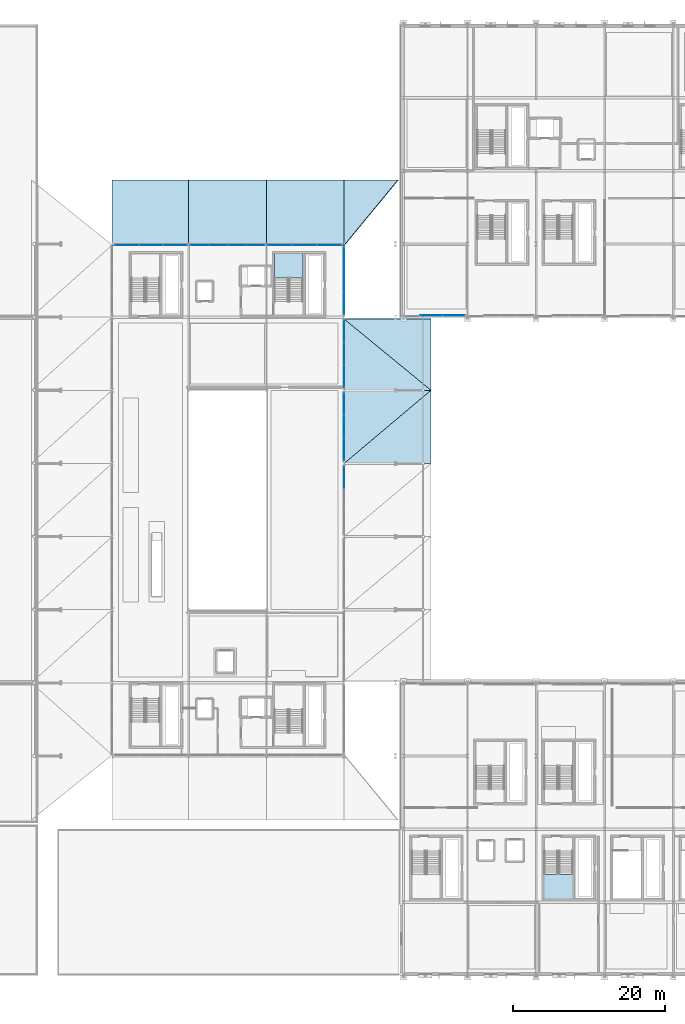
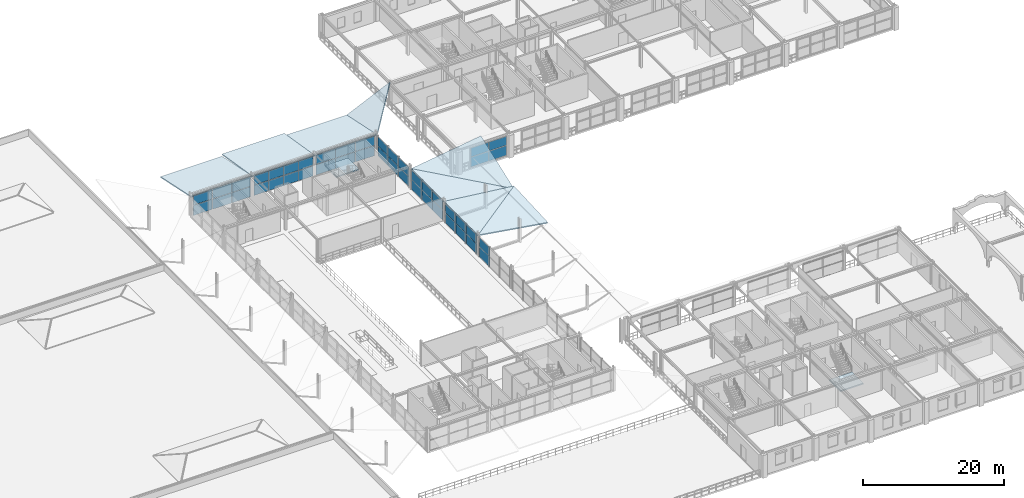
# One storey, part 37 of 81: 44 plates, 10 slabs, 10 elements without a shape of their own.
"""IFC4 building model written with IfcOpenShell, lengths in metres."""

from ifc_helpers import new_model, si_unit, direction, frame, origin, origin_2d, place, context, subcontext, project, spatial, polyline, rectangle, outline, extrude, material, layer, layer_set, type_object, element, aggregate, save


model = new_model("IFC4")

# Units and contexts
model_context = context("Model", 3, precision=1e-05, world=origin(), true_north=direction((0.0, 1.0)))
body_context = subcontext(model_context, "Body", "Model", "MODEL_VIEW")
ifc_project = project(units=[si_unit("LENGTHUNIT", "METRE"), si_unit("AREAUNIT", "SQUARE_METRE"), si_unit("VOLUMEUNIT", "CUBIC_METRE"), si_unit("PLANEANGLEUNIT", "RADIAN"), si_unit("MASSUNIT", "GRAM", prefix="KILO")], contexts=[model_context])

# Site, building, storey
site_placement = place(None, origin())
site = spatial("IfcSite", under=ifc_project, at=site_placement, CompositionType="ELEMENT")
building_placement = place(site_placement, origin())
building = spatial("IfcBuilding", under=site, at=building_placement, Name="Myrtia Square Station", CompositionType="ELEMENT")
storey_placement = place(building_placement, frame((0.0, 0.0, 10.800048828125)))
storey = spatial("IfcBuildingStorey", under=building, at=storey_placement, Name="L02", CompositionType="ELEMENT", Elevation=10.800048828125)

# Curtain wall, plates
ifc_material_1 = material(Name="Dark bronze anodised aluminium", Category="aluminium")
ifc_layer_1 = layer(ifc_material_1, 0.159912109375, Name="Dark bronze anodised aluminium")
ifc_layer_set_1 = layer_set([ifc_layer_1], Name="Dark bronze anodised aluminium")
curtain_wall_type_1 = type_object("IfcCurtainWallType", Name="CW-TYPE-06-890x341", PredefinedType="USERDEFINED", material=ifc_layer_set_1)
curtain_wall_1_placement = place(storey_placement, origin())
curtain_wall_1 = element("IfcCurtainWall", 1, at=curtain_wall_1_placement, inside=storey, type_object=curtain_wall_type_1, Name="Concourse curtain wall CW-L02-026", ObjectType="CONCOURSE CURTAIN WALL", PredefinedType="USERDEFINED")
ifc_material_2 = material(Name="Tinted low-E solar control glass", Category="glass")
ifc_layer_2 = layer(ifc_material_2, 0.028076171875, Name="Tinted low-E solar control glass")
ifc_layer_set_2 = layer_set([ifc_layer_2], Name="Tinted low-E solar control glass")
plate_type_1 = type_object("IfcPlateType", Name="CWP-GLZ-28", PredefinedType="CURTAIN_PANEL", material=ifc_layer_set_2)
plate_1_placement = place(storey_placement, frame((109.800048828125, 65.3515625, 0.059814453125), z_axis=(0.0, 0.0, 1.0), x_axis=(0.0, 1.0, 0.0)))
plate_1 = element("IfcPlate", 2, at=plate_1_placement, type_object=plate_type_1, Name="CW-026 panel 3.1", PredefinedType="CURTAIN_PANEL", context=body_context, shape_type="SweptSolid", body=[
    extrude(rectangle(XDim=2.876708984375, YDim=0.028076171875, at=origin_2d()), origin(), (0.0, 0.0, 1.0), 1.68310546875),
])
plate_2_placement = place(storey_placement, frame((109.800048828125, 65.3515625, 1.802734375), z_axis=(0.0, 0.0, 1.0), x_axis=(0.0, 1.0, 0.0)))
plate_2 = element("IfcPlate", 3, at=plate_2_placement, type_object=plate_type_1, Name="CW-026 panel 3.2", PredefinedType="CURTAIN_PANEL", context=body_context, shape_type="SweptSolid", body=[
    extrude(rectangle(XDim=2.876708984375, YDim=0.028076171875, at=origin_2d()), origin(), (0.0, 0.0, 1.0), 1.547119140625),
])
aggregate(curtain_wall_1, [plate_1, plate_2])

curtain_wall_2_placement = place(storey_placement, origin())
curtain_wall_2 = element("IfcCurtainWall", 4, at=curtain_wall_2_placement, inside=storey, type_object=curtain_wall_type_1, Name="Concourse curtain wall CW-L02-030", ObjectType="CONCOURSE CURTAIN WALL", PredefinedType="USERDEFINED")
plate_3_placement = place(storey_placement, frame((109.800048828125, 78.6484375, 0.059814453125), z_axis=(0.0, 0.0, 1.0), x_axis=(0.0, 1.0, 0.0)))
plate_3 = element("IfcPlate", 5, at=plate_3_placement, type_object=plate_type_1, Name="CW-030 panel 1.1", PredefinedType="CURTAIN_PANEL", context=body_context, shape_type="SweptSolid", body=[
    extrude(rectangle(XDim=2.876708984375, YDim=0.028076171875, at=origin_2d()), origin(), (0.0, 0.0, 1.0), 1.68310546875),
])
plate_4_placement = place(storey_placement, frame((109.800048828125, 78.6484375, 1.802734375), z_axis=(0.0, 0.0, 1.0), x_axis=(0.0, 1.0, 0.0)))
plate_4 = element("IfcPlate", 6, at=plate_4_placement, type_object=plate_type_1, Name="CW-030 panel 1.2", PredefinedType="CURTAIN_PANEL", context=body_context, shape_type="SweptSolid", body=[
    extrude(rectangle(XDim=2.876708984375, YDim=0.028076171875, at=origin_2d()), origin(), (0.0, 0.0, 1.0), 1.547119140625),
])
plate_5_placement = place(storey_placement, frame((109.800048828125, 81.60009765625, 0.059814453125), z_axis=(0.0, 0.0, 1.0), x_axis=(0.0, 1.0, 0.0)))
plate_5 = element("IfcPlate", 7, at=plate_5_placement, type_object=plate_type_1, Name="CW-030 panel 2.1", PredefinedType="CURTAIN_PANEL", context=body_context, shape_type="SweptSolid", body=[
    extrude(rectangle(XDim=2.90673828125, YDim=0.028076171875, at=origin_2d()), origin(), (0.0, 0.0, 1.0), 1.68310546875),
])
plate_6_placement = place(storey_placement, frame((109.800048828125, 81.60009765625, 1.802734375), z_axis=(0.0, 0.0, 1.0), x_axis=(0.0, 1.0, 0.0)))
plate_6 = element("IfcPlate", 8, at=plate_6_placement, type_object=plate_type_1, Name="CW-030 panel 2.2", PredefinedType="CURTAIN_PANEL", context=body_context, shape_type="SweptSolid", body=[
    extrude(rectangle(XDim=2.90673828125, YDim=0.028076171875, at=origin_2d()), origin(), (0.0, 0.0, 1.0), 1.547119140625),
])
plate_7_placement = place(storey_placement, frame((109.800048828125, 84.5517578125, 0.059814453125), z_axis=(0.0, 0.0, 1.0), x_axis=(0.0, 1.0, 0.0)))
plate_7 = element("IfcPlate", 9, at=plate_7_placement, type_object=plate_type_1, Name="CW-030 panel 3.1", PredefinedType="CURTAIN_PANEL", context=body_context, shape_type="SweptSolid", body=[
    extrude(rectangle(XDim=2.876708984375, YDim=0.028076171875, at=origin_2d()), origin(), (0.0, 0.0, 1.0), 1.68310546875),
])
plate_8_placement = place(storey_placement, frame((109.800048828125, 84.5517578125, 1.802734375), z_axis=(0.0, 0.0, 1.0), x_axis=(0.0, 1.0, 0.0)))
plate_8 = element("IfcPlate", 10, at=plate_8_placement, type_object=plate_type_1, Name="CW-030 panel 3.2", PredefinedType="CURTAIN_PANEL", context=body_context, shape_type="SweptSolid", body=[
    extrude(rectangle(XDim=2.876708984375, YDim=0.028076171875, at=origin_2d()), origin(), (0.0, 0.0, 1.0), 1.547119140625),
])
aggregate(curtain_wall_2, [plate_3, plate_4, plate_5, plate_6, plate_7, plate_8])

ifc_layer_3 = layer(ifc_material_1, 0.159912109375, Name="Dark bronze anodised aluminium")
ifc_layer_set_3 = layer_set([ifc_layer_3], Name="Dark bronze anodised aluminium")
curtain_wall_type_2 = type_object("IfcCurtainWallType", Name="CW-TYPE-13-980x355", PredefinedType="USERDEFINED", material=ifc_layer_set_3)
curtain_wall_3_placement = place(storey_placement, origin())
curtain_wall_3 = element("IfcCurtainWall", 11, at=curtain_wall_3_placement, inside=storey, type_object=curtain_wall_type_2, Name="Concourse curtain wall CW-L02-050", ObjectType="CONCOURSE CURTAIN WALL", PredefinedType="USERDEFINED")
plate_9_placement = place(storey_placement, frame((90.840087890625, 95.85009765625, 0.06005859375), z_axis=(0.0, 0.0, 1.0), x_axis=(1.0, 0.0, 0.0)))
plate_9 = element("IfcPlate", 12, at=plate_9_placement, type_object=plate_type_1, Name="CW-050 panel 1.1", PredefinedType="CURTAIN_PANEL", context=body_context, shape_type="SweptSolid", body=[
    extrude(rectangle(XDim=2.360107421875, YDim=0.028076171875, at=origin_2d()), origin(), (0.0, 0.0, 1.0), 1.756103515625),
])
plate_10_placement = place(storey_placement, frame((90.840087890625, 95.85009765625, 1.8759765625), z_axis=(0.0, 0.0, 1.0), x_axis=(1.0, 0.0, 0.0)))
plate_10 = element("IfcPlate", 13, at=plate_10_placement, type_object=plate_type_1, Name="CW-050 panel 1.2", PredefinedType="CURTAIN_PANEL", context=body_context, shape_type="SweptSolid", body=[
    extrude(rectangle(XDim=2.360107421875, YDim=0.028076171875, at=origin_2d()), origin(), (0.0, 0.0, 1.0), 1.614013671875),
])
plate_11_placement = place(storey_placement, frame((93.27490234375, 95.85009765625, 0.06005859375), z_axis=(0.0, 0.0, 1.0), x_axis=(1.0, 0.0, 0.0)))
plate_11 = element("IfcPlate", 14, at=plate_11_placement, type_object=plate_type_1, Name="CW-050 panel 2.1", PredefinedType="CURTAIN_PANEL", context=body_context, shape_type="SweptSolid", body=[
    extrude(rectangle(XDim=2.389892578125, YDim=0.028076171875, at=origin_2d()), origin(), (0.0, 0.0, 1.0), 1.756103515625),
])
plate_12_placement = place(storey_placement, frame((93.27490234375, 95.85009765625, 1.8759765625), z_axis=(0.0, 0.0, 1.0), x_axis=(1.0, 0.0, 0.0)))
plate_12 = element("IfcPlate", 15, at=plate_12_placement, type_object=plate_type_1, Name="CW-050 panel 2.2", PredefinedType="CURTAIN_PANEL", context=body_context, shape_type="SweptSolid", body=[
    extrude(rectangle(XDim=2.389892578125, YDim=0.028076171875, at=origin_2d()), origin(), (0.0, 0.0, 1.0), 1.614013671875),
])
plate_13_placement = place(storey_placement, frame((95.72509765625, 95.85009765625, 0.06005859375), z_axis=(0.0, 0.0, 1.0), x_axis=(1.0, 0.0, 0.0)))
plate_13 = element("IfcPlate", 16, at=plate_13_placement, type_object=plate_type_1, Name="CW-050 panel 3.1", PredefinedType="CURTAIN_PANEL", context=body_context, shape_type="SweptSolid", body=[
    extrude(rectangle(XDim=2.389892578125, YDim=0.028076171875, at=origin_2d()), origin(), (0.0, 0.0, 1.0), 1.756103515625),
])
plate_14_placement = place(storey_placement, frame((95.72509765625, 95.85009765625, 1.8759765625), z_axis=(0.0, 0.0, 1.0), x_axis=(1.0, 0.0, 0.0)))
plate_14 = element("IfcPlate", 17, at=plate_14_placement, type_object=plate_type_1, Name="CW-050 panel 3.2", PredefinedType="CURTAIN_PANEL", context=body_context, shape_type="SweptSolid", body=[
    extrude(rectangle(XDim=2.389892578125, YDim=0.028076171875, at=origin_2d()), origin(), (0.0, 0.0, 1.0), 1.614013671875),
])
plate_15_placement = place(storey_placement, frame((98.159912109375, 95.85009765625, 0.06005859375), z_axis=(0.0, 0.0, 1.0), x_axis=(1.0, 0.0, 0.0)))
plate_15 = element("IfcPlate", 18, at=plate_15_placement, type_object=plate_type_1, Name="CW-050 panel 4.1", PredefinedType="CURTAIN_PANEL", context=body_context, shape_type="SweptSolid", body=[
    extrude(rectangle(XDim=2.360107421875, YDim=0.028076171875, at=origin_2d()), origin(), (0.0, 0.0, 1.0), 1.756103515625),
])
plate_16_placement = place(storey_placement, frame((98.159912109375, 95.85009765625, 1.8759765625), z_axis=(0.0, 0.0, 1.0), x_axis=(1.0, 0.0, 0.0)))
plate_16 = element("IfcPlate", 19, at=plate_16_placement, type_object=plate_type_1, Name="CW-050 panel 4.2", PredefinedType="CURTAIN_PANEL", context=body_context, shape_type="SweptSolid", body=[
    extrude(rectangle(XDim=2.360107421875, YDim=0.028076171875, at=origin_2d()), origin(), (0.0, 0.0, 1.0), 1.614013671875),
])
aggregate(curtain_wall_3, [plate_9, plate_10, plate_11, plate_12, plate_13, plate_14, plate_15, plate_16])

ifc_layer_4 = layer(ifc_material_1, 0.159912109375, Name="Dark bronze anodised aluminium")
ifc_layer_set_4 = layer_set([ifc_layer_4], Name="Dark bronze anodised aluminium")
curtain_wall_type_3 = type_object("IfcCurtainWallType", Name="CW-TYPE-38-598x340", PredefinedType="USERDEFINED", material=ifc_layer_set_4)
curtain_wall_4_placement = place(storey_placement, origin())
curtain_wall_4 = element("IfcCurtainWall", 20, at=curtain_wall_4_placement, inside=storey, type_object=curtain_wall_type_3, Name="Concourse curtain wall CW-L02-117", ObjectType="CONCOURSE CURTAIN WALL", PredefinedType="USERDEFINED")
ifc_layer_5 = layer(ifc_material_2, 0.031982421875, Name="Tinted low-E solar control glass")
ifc_layer_set_5 = layer_set([ifc_layer_5], Name="Tinted low-E solar control glass")
plate_type_2 = type_object("IfcPlateType", Name="CWP-GLZ-32", PredefinedType="CURTAIN_PANEL", material=ifc_layer_set_5)
plate_17_placement = place(storey_placement, frame((121.235107421875, 86.60009765625, 0.06494140625), z_axis=(0.0, 0.0, 1.0), x_axis=(1.0, 0.0, 0.0)))
plate_17 = element("IfcPlate", 21, at=plate_17_placement, type_object=plate_type_2, Name="CW-117 panel 1.1", PredefinedType="CURTAIN_PANEL", context=body_context, shape_type="SweptSolid", body=[
    extrude(rectangle(XDim=2.889892578125, YDim=0.031982421875, at=origin_2d()), origin(), (0.0, 0.0, 1.0), 1.67041015625),
])
plate_18_placement = place(storey_placement, frame((121.235107421875, 86.60009765625, 1.80029296875), z_axis=(0.0, 0.0, 1.0), x_axis=(1.0, 0.0, 0.0)))
plate_18 = element("IfcPlate", 22, at=plate_18_placement, type_object=plate_type_2, Name="CW-117 panel 1.2", PredefinedType="CURTAIN_PANEL", context=body_context, shape_type="SweptSolid", body=[
    extrude(rectangle(XDim=2.889892578125, YDim=0.031982421875, at=origin_2d()), origin(), (0.0, 0.0, 1.0), 1.534423828125),
])
plate_19_placement = place(storey_placement, frame((124.18994140625, 86.60009765625, 0.06494140625), z_axis=(0.0, 0.0, 1.0), x_axis=(1.0, 0.0, 0.0)))
plate_19 = element("IfcPlate", 23, at=plate_19_placement, type_object=plate_type_2, Name="CW-117 panel 2.1", PredefinedType="CURTAIN_PANEL", context=body_context, shape_type="SweptSolid", body=[
    extrude(rectangle(XDim=2.889892578125, YDim=0.031982421875, at=origin_2d()), origin(), (0.0, 0.0, 1.0), 1.67041015625),
])
plate_20_placement = place(storey_placement, frame((124.18994140625, 86.60009765625, 1.80029296875), z_axis=(0.0, 0.0, 1.0), x_axis=(1.0, 0.0, 0.0)))
plate_20 = element("IfcPlate", 24, at=plate_20_placement, type_object=plate_type_2, Name="CW-117 panel 2.2", PredefinedType="CURTAIN_PANEL", context=body_context, shape_type="SweptSolid", body=[
    extrude(rectangle(XDim=2.889892578125, YDim=0.031982421875, at=origin_2d()), origin(), (0.0, 0.0, 1.0), 1.534423828125),
])
aggregate(curtain_wall_4, [plate_17, plate_18, plate_19, plate_20])

curtain_wall_5_placement = place(storey_placement, origin())
curtain_wall_5 = element("IfcCurtainWall", 25, at=curtain_wall_5_placement, inside=storey, type_object=curtain_wall_type_1, Name="Concourse curtain wall CW-L02-028", ObjectType="CONCOURSE CURTAIN WALL", PredefinedType="USERDEFINED")
ifc_layer_6 = layer(ifc_material_2, 0.035888671875, Name="Tinted low-E solar control glass")
ifc_layer_set_6 = layer_set([ifc_layer_6], Name="Tinted low-E solar control glass")
plate_type_3 = type_object("IfcPlateType", Name="CWP-GLZ-36", PredefinedType="CURTAIN_PANEL", material=ifc_layer_set_6)
plate_21_placement = place(storey_placement, frame((109.800048828125, 69.04833984375, 0.059814453125), z_axis=(0.0, 0.0, 1.0), x_axis=(0.0, 1.0, 0.0)))
plate_21 = element("IfcPlate", 26, at=plate_21_placement, type_object=plate_type_3, Name="CW-028 panel 1.1", PredefinedType="CURTAIN_PANEL", context=body_context, shape_type="SweptSolid", body=[
    extrude(rectangle(XDim=2.876708984375, YDim=0.035888671875, at=origin_2d()), origin(), (0.0, 0.0, 1.0), 1.68310546875),
])
plate_22_placement = place(storey_placement, frame((109.800048828125, 69.04833984375, 1.802734375), z_axis=(0.0, 0.0, 1.0), x_axis=(0.0, 1.0, 0.0)))
plate_22 = element("IfcPlate", 27, at=plate_22_placement, type_object=plate_type_3, Name="CW-028 panel 1.2", PredefinedType="CURTAIN_PANEL", context=body_context, shape_type="SweptSolid", body=[
    extrude(rectangle(XDim=2.876708984375, YDim=0.035888671875, at=origin_2d()), origin(), (0.0, 0.0, 1.0), 1.547119140625),
])
plate_23_placement = place(storey_placement, frame((109.800048828125, 72.0, 0.059814453125), z_axis=(0.0, 0.0, 1.0), x_axis=(0.0, 1.0, 0.0)))
plate_23 = element("IfcPlate", 28, at=plate_23_placement, type_object=plate_type_3, Name="CW-028 panel 2.1", PredefinedType="CURTAIN_PANEL", context=body_context, shape_type="SweptSolid", body=[
    extrude(rectangle(XDim=2.90673828125, YDim=0.035888671875, at=origin_2d()), origin(), (0.0, 0.0, 1.0), 1.68310546875),
])
plate_24_placement = place(storey_placement, frame((109.800048828125, 72.0, 1.802734375), z_axis=(0.0, 0.0, 1.0), x_axis=(0.0, 1.0, 0.0)))
plate_24 = element("IfcPlate", 29, at=plate_24_placement, type_object=plate_type_3, Name="CW-028 panel 2.2", PredefinedType="CURTAIN_PANEL", context=body_context, shape_type="SweptSolid", body=[
    extrude(rectangle(XDim=2.90673828125, YDim=0.035888671875, at=origin_2d()), origin(), (0.0, 0.0, 1.0), 1.547119140625),
])
plate_25_placement = place(storey_placement, frame((109.800048828125, 74.95166015625, 0.059814453125), z_axis=(0.0, 0.0, 1.0), x_axis=(0.0, 1.0, 0.0)))
plate_25 = element("IfcPlate", 30, at=plate_25_placement, type_object=plate_type_3, Name="CW-028 panel 3.1", PredefinedType="CURTAIN_PANEL", context=body_context, shape_type="SweptSolid", body=[
    extrude(rectangle(XDim=2.876708984375, YDim=0.035888671875, at=origin_2d()), origin(), (0.0, 0.0, 1.0), 1.68310546875),
])
plate_26_placement = place(storey_placement, frame((109.800048828125, 74.95166015625, 1.802734375), z_axis=(0.0, 0.0, 1.0), x_axis=(0.0, 1.0, 0.0)))
plate_26 = element("IfcPlate", 31, at=plate_26_placement, type_object=plate_type_3, Name="CW-028 panel 3.2", PredefinedType="CURTAIN_PANEL", context=body_context, shape_type="SweptSolid", body=[
    extrude(rectangle(XDim=2.876708984375, YDim=0.035888671875, at=origin_2d()), origin(), (0.0, 0.0, 1.0), 1.547119140625),
])
aggregate(curtain_wall_5, [plate_21, plate_22, plate_23, plate_24, plate_25, plate_26])

curtain_wall_6_placement = place(storey_placement, origin())
curtain_wall_6 = element("IfcCurtainWall", 32, at=curtain_wall_6_placement, inside=storey, type_object=curtain_wall_type_1, Name="Concourse curtain wall CW-L02-032", ObjectType="CONCOURSE CURTAIN WALL", PredefinedType="USERDEFINED")
plate_27_placement = place(storey_placement, frame((109.800048828125, 88.248291015625, 0.059814453125), z_axis=(0.0, 0.0, 1.0), x_axis=(0.0, 1.0, 0.0)))
plate_27 = element("IfcPlate", 33, at=plate_27_placement, type_object=plate_type_3, Name="CW-032 panel 1.1", PredefinedType="CURTAIN_PANEL", context=body_context, shape_type="SweptSolid", body=[
    extrude(rectangle(XDim=2.876708984375, YDim=0.035888671875, at=origin_2d()), origin(), (0.0, 0.0, 1.0), 1.68310546875),
])
plate_28_placement = place(storey_placement, frame((109.800048828125, 88.248291015625, 1.802734375), z_axis=(0.0, 0.0, 1.0), x_axis=(0.0, 1.0, 0.0)))
plate_28 = element("IfcPlate", 34, at=plate_28_placement, type_object=plate_type_3, Name="CW-032 panel 1.2", PredefinedType="CURTAIN_PANEL", context=body_context, shape_type="SweptSolid", body=[
    extrude(rectangle(XDim=2.876708984375, YDim=0.035888671875, at=origin_2d()), origin(), (0.0, 0.0, 1.0), 1.547119140625),
])
plate_29_placement = place(storey_placement, frame((109.800048828125, 91.199951171875, 0.059814453125), z_axis=(0.0, 0.0, 1.0), x_axis=(0.0, 1.0, 0.0)))
plate_29 = element("IfcPlate", 35, at=plate_29_placement, type_object=plate_type_3, Name="CW-032 panel 2.1", PredefinedType="CURTAIN_PANEL", context=body_context, shape_type="SweptSolid", body=[
    extrude(rectangle(XDim=2.90673828125, YDim=0.035888671875, at=origin_2d()), origin(), (0.0, 0.0, 1.0), 1.68310546875),
])
plate_30_placement = place(storey_placement, frame((109.800048828125, 91.199951171875, 1.802734375), z_axis=(0.0, 0.0, 1.0), x_axis=(0.0, 1.0, 0.0)))
plate_30 = element("IfcPlate", 36, at=plate_30_placement, type_object=plate_type_3, Name="CW-032 panel 2.2", PredefinedType="CURTAIN_PANEL", context=body_context, shape_type="SweptSolid", body=[
    extrude(rectangle(XDim=2.90673828125, YDim=0.035888671875, at=origin_2d()), origin(), (0.0, 0.0, 1.0), 1.547119140625),
])
plate_31_placement = place(storey_placement, frame((109.800048828125, 94.151611328125, 0.059814453125), z_axis=(0.0, 0.0, 1.0), x_axis=(0.0, 1.0, 0.0)))
plate_31 = element("IfcPlate", 37, at=plate_31_placement, type_object=plate_type_3, Name="CW-032 panel 3.1", PredefinedType="CURTAIN_PANEL", context=body_context, shape_type="SweptSolid", body=[
    extrude(rectangle(XDim=2.876708984375, YDim=0.035888671875, at=origin_2d()), origin(), (0.0, 0.0, 1.0), 1.68310546875),
])
plate_32_placement = place(storey_placement, frame((109.800048828125, 94.151611328125, 1.802734375), z_axis=(0.0, 0.0, 1.0), x_axis=(0.0, 1.0, 0.0)))
plate_32 = element("IfcPlate", 38, at=plate_32_placement, type_object=plate_type_3, Name="CW-032 panel 3.2", PredefinedType="CURTAIN_PANEL", context=body_context, shape_type="SweptSolid", body=[
    extrude(rectangle(XDim=2.876708984375, YDim=0.035888671875, at=origin_2d()), origin(), (0.0, 0.0, 1.0), 1.547119140625),
])
aggregate(curtain_wall_6, [plate_27, plate_28, plate_29, plate_30, plate_31, plate_32])

ifc_layer_7 = layer(ifc_material_1, 0.159912109375, Name="Dark bronze anodised aluminium")
ifc_layer_set_7 = layer_set([ifc_layer_7], Name="Dark bronze anodised aluminium")
curtain_wall_type_4 = type_object("IfcCurtainWallType", Name="CW-TYPE-12-950x355", PredefinedType="USERDEFINED", material=ifc_layer_set_7)
curtain_wall_7_placement = place(storey_placement, origin())
curtain_wall_7 = element("IfcCurtainWall", 39, at=curtain_wall_7_placement, inside=storey, type_object=curtain_wall_type_4, Name="Concourse curtain wall CW-L02-048", ObjectType="CONCOURSE CURTAIN WALL", PredefinedType="USERDEFINED")
plate_33_placement = place(storey_placement, frame((81.29833984375, 95.85009765625, 0.06005859375), z_axis=(0.0, 0.0, 1.0), x_axis=(1.0, 0.0, 0.0)))
plate_33 = element("IfcPlate", 40, at=plate_33_placement, type_object=plate_type_3, Name="CW-048 panel 1.1", PredefinedType="CURTAIN_PANEL", context=body_context, shape_type="SweptSolid", body=[
    extrude(rectangle(XDim=3.07666015625, YDim=0.035888671875, at=origin_2d()), origin(), (0.0, 0.0, 1.0), 1.756103515625),
])
plate_34_placement = place(storey_placement, frame((81.29833984375, 95.85009765625, 1.8759765625), z_axis=(0.0, 0.0, 1.0), x_axis=(1.0, 0.0, 0.0)))
plate_34 = element("IfcPlate", 41, at=plate_34_placement, type_object=plate_type_3, Name="CW-048 panel 1.2", PredefinedType="CURTAIN_PANEL", context=body_context, shape_type="SweptSolid", body=[
    extrude(rectangle(XDim=3.07666015625, YDim=0.035888671875, at=origin_2d()), origin(), (0.0, 0.0, 1.0), 1.614013671875),
])
plate_35_placement = place(storey_placement, frame((84.449951171875, 95.85009765625, 0.06005859375), z_axis=(0.0, 0.0, 1.0), x_axis=(1.0, 0.0, 0.0)))
plate_35 = element("IfcPlate", 42, at=plate_35_placement, type_object=plate_type_3, Name="CW-048 panel 2.1", PredefinedType="CURTAIN_PANEL", context=body_context, shape_type="SweptSolid", body=[
    extrude(rectangle(XDim=3.106689453125, YDim=0.035888671875, at=origin_2d()), origin(), (0.0, 0.0, 1.0), 1.756103515625),
])
plate_36_placement = place(storey_placement, frame((84.449951171875, 95.85009765625, 1.8759765625), z_axis=(0.0, 0.0, 1.0), x_axis=(1.0, 0.0, 0.0)))
plate_36 = element("IfcPlate", 43, at=plate_36_placement, type_object=plate_type_3, Name="CW-048 panel 2.2", PredefinedType="CURTAIN_PANEL", context=body_context, shape_type="SweptSolid", body=[
    extrude(rectangle(XDim=3.106689453125, YDim=0.035888671875, at=origin_2d()), origin(), (0.0, 0.0, 1.0), 1.614013671875),
])
plate_37_placement = place(storey_placement, frame((87.6015625, 95.85009765625, 0.06005859375), z_axis=(0.0, 0.0, 1.0), x_axis=(1.0, 0.0, 0.0)))
plate_37 = element("IfcPlate", 44, at=plate_37_placement, type_object=plate_type_3, Name="CW-048 panel 3.1", PredefinedType="CURTAIN_PANEL", context=body_context, shape_type="SweptSolid", body=[
    extrude(rectangle(XDim=3.07666015625, YDim=0.035888671875, at=origin_2d()), origin(), (0.0, 0.0, 1.0), 1.756103515625),
])
plate_38_placement = place(storey_placement, frame((87.6015625, 95.85009765625, 1.8759765625), z_axis=(0.0, 0.0, 1.0), x_axis=(1.0, 0.0, 0.0)))
plate_38 = element("IfcPlate", 45, at=plate_38_placement, type_object=plate_type_3, Name="CW-048 panel 3.2", PredefinedType="CURTAIN_PANEL", context=body_context, shape_type="SweptSolid", body=[
    extrude(rectangle(XDim=3.07666015625, YDim=0.035888671875, at=origin_2d()), origin(), (0.0, 0.0, 1.0), 1.614013671875),
])
aggregate(curtain_wall_7, [plate_33, plate_34, plate_35, plate_36, plate_37, plate_38])

ifc_layer_8 = layer(ifc_material_1, 0.159912109375, Name="Dark bronze anodised aluminium")
ifc_layer_set_8 = layer_set([ifc_layer_8], Name="Dark bronze anodised aluminium")
curtain_wall_type_5 = type_object("IfcCurtainWallType", Name="CW-TYPE-14-965x355", PredefinedType="USERDEFINED", material=ifc_layer_set_8)
curtain_wall_8_placement = place(storey_placement, origin())
curtain_wall_8 = element("IfcCurtainWall", 46, at=curtain_wall_8_placement, inside=storey, type_object=curtain_wall_type_5, Name="Concourse curtain wall CW-L02-052", ObjectType="CONCOURSE CURTAIN WALL", PredefinedType="USERDEFINED")
plate_39_placement = place(storey_placement, frame((101.42333984375, 95.85009765625, 0.06005859375), z_axis=(0.0, 0.0, 1.0), x_axis=(1.0, 0.0, 0.0)))
plate_39 = element("IfcPlate", 47, at=plate_39_placement, type_object=plate_type_3, Name="CW-052 panel 1.1", PredefinedType="CURTAIN_PANEL", context=body_context, shape_type="SweptSolid", body=[
    extrude(rectangle(XDim=3.126708984375, YDim=0.035888671875, at=origin_2d()), origin(), (0.0, 0.0, 1.0), 1.756103515625),
])
plate_40_placement = place(storey_placement, frame((101.42333984375, 95.85009765625, 1.8759765625), z_axis=(0.0, 0.0, 1.0), x_axis=(1.0, 0.0, 0.0)))
plate_40 = element("IfcPlate", 48, at=plate_40_placement, type_object=plate_type_3, Name="CW-052 panel 1.2", PredefinedType="CURTAIN_PANEL", context=body_context, shape_type="SweptSolid", body=[
    extrude(rectangle(XDim=3.126708984375, YDim=0.035888671875, at=origin_2d()), origin(), (0.0, 0.0, 1.0), 1.614013671875),
])
plate_41_placement = place(storey_placement, frame((104.625, 95.85009765625, 0.06005859375), z_axis=(0.0, 0.0, 1.0), x_axis=(1.0, 0.0, 0.0)))
plate_41 = element("IfcPlate", 49, at=plate_41_placement, type_object=plate_type_3, Name="CW-052 panel 2.1", PredefinedType="CURTAIN_PANEL", context=body_context, shape_type="SweptSolid", body=[
    extrude(rectangle(XDim=3.15673828125, YDim=0.035888671875, at=origin_2d()), origin(), (0.0, 0.0, 1.0), 1.756103515625),
])
plate_42_placement = place(storey_placement, frame((104.625, 95.85009765625, 1.8759765625), z_axis=(0.0, 0.0, 1.0), x_axis=(1.0, 0.0, 0.0)))
plate_42 = element("IfcPlate", 50, at=plate_42_placement, type_object=plate_type_3, Name="CW-052 panel 2.2", PredefinedType="CURTAIN_PANEL", context=body_context, shape_type="SweptSolid", body=[
    extrude(rectangle(XDim=3.15673828125, YDim=0.035888671875, at=origin_2d()), origin(), (0.0, 0.0, 1.0), 1.614013671875),
])
plate_43_placement = place(storey_placement, frame((107.82666015625, 95.85009765625, 0.06005859375), z_axis=(0.0, 0.0, 1.0), x_axis=(1.0, 0.0, 0.0)))
plate_43 = element("IfcPlate", 51, at=plate_43_placement, type_object=plate_type_3, Name="CW-052 panel 3.1", PredefinedType="CURTAIN_PANEL", context=body_context, shape_type="SweptSolid", body=[
    extrude(rectangle(XDim=3.126708984375, YDim=0.035888671875, at=origin_2d()), origin(), (0.0, 0.0, 1.0), 1.756103515625),
])
plate_44_placement = place(storey_placement, frame((107.82666015625, 95.85009765625, 1.8759765625), z_axis=(0.0, 0.0, 1.0), x_axis=(1.0, 0.0, 0.0)))
plate_44 = element("IfcPlate", 52, at=plate_44_placement, type_object=plate_type_3, Name="CW-052 panel 3.2", PredefinedType="CURTAIN_PANEL", context=body_context, shape_type="SweptSolid", body=[
    extrude(rectangle(XDim=3.126708984375, YDim=0.035888671875, at=origin_2d()), origin(), (0.0, 0.0, 1.0), 1.614013671875),
])
aggregate(curtain_wall_8, [plate_39, plate_40, plate_41, plate_42, plate_43, plate_44])

# Slabs
ifc_material_3 = material(Name="Concrete C35/45", Category="concrete")
ifc_layer_9 = layer(ifc_material_3, 0.175048828125, Name="Concrete C35/45")
ifc_layer_set_9 = layer_set([ifc_layer_9], Name="Concrete C35/45")
slab_type_1 = type_object("IfcSlabType", Name="SLB-FOLD-175", PredefinedType="ROOF", material=ifc_layer_set_9)
slab_1_placement = place(storey_placement, frame((89.39990234375, 104.39990234375, 1.75), z_axis=(0.0, 0.206020338752, 0.978547709629), x_axis=(-1.0, 0.0, 0.0)))
element("IfcSlab", 53, at=slab_1_placement, inside=storey, type_object=slab_type_1, Name="Lower folded wrap roof north gable 1", PredefinedType="ROOF", context=body_context, shape_type="SweptSolid", body=[
    extrude(outline(polyline([(0.0, 0.0), (10.0498046875, 0.0), (10.0498046875, 8.737238464070394), (0.0, 8.737238464070394), (0.0, 0.0)])), origin(), (0.0, 0.0, -1.0), 0.175048828125),
])
slab_2_placement = place(storey_placement, frame((99.60009765625, 104.39990234375, 2.14990234375), z_axis=(0.0, 0.161610821226, 0.986854570067), x_axis=(-1.0, 0.0, 0.0)))
element("IfcSlab", 54, at=slab_2_placement, inside=storey, type_object=slab_type_1, Name="Lower folded wrap roof north gable 2", PredefinedType="ROOF", context=body_context, shape_type="SweptSolid", body=[
    extrude(outline(polyline([(0.0, 0.0), (10.2001953125, 0.0), (10.2001953125, 8.663692652218488), (0.0, 8.663692652218488), (0.0, 0.0)])), origin(), (0.0, 0.0, -1.0), 0.175048828125),
])
slab_3_placement = place(storey_placement, frame((109.800048828125, 104.39990234375, 1.75), z_axis=(0.0, 0.206020338752, 0.978547709629), x_axis=(-1.0, 0.0, 0.0)))
element("IfcSlab", 55, at=slab_3_placement, inside=storey, type_object=slab_type_1, Name="Lower folded wrap roof north gable 3", PredefinedType="ROOF", context=body_context, shape_type="SweptSolid", body=[
    extrude(outline(polyline([(0.0, 0.0), (10.199951171875, 0.0), (10.199951171875, 8.737238464070392), (0.0, 8.737238464070392), (0.0, 0.0)])), origin(), (0.0, 0.0, -1.0), 0.175048828125),
])
slab_4_placement = place(storey_placement, frame((116.85009765625, 104.39990234375, 4.990966796875), z_axis=(-0.410248350863, 0.187885160102, 0.892409915469), x_axis=(-0.908591009929, 0.0, -0.417686936205)))
element("IfcSlab", 56, at=slab_4_placement, inside=storey, type_object=slab_type_1, Name="Lower folded wrap roof NE court corner", PredefinedType="ROOF", context=body_context, shape_type="SweptSolid", body=[
    extrude(outline(polyline([(0.0, 0.0), (7.759320476523243, 0.0), (7.007463596483548, 8.704828959259805), (0.0, 0.0)])), origin(), (0.0, 0.0, -1.0), 0.175048828125),
])
slab_5_placement = place(storey_placement, frame((109.800048828125, 67.199951171875, 3.550048828125), z_axis=(0.155778154037, -0.04932547917, 0.986559761915), x_axis=(0.987762107722, 0.0, -0.155968004888)))
element("IfcSlab", 57, at=slab_5_placement, inside=storey, type_object=slab_type_1, Name="Lower folded wrap roof east square bay 3A", PredefinedType="ROOF", context=body_context, shape_type="SweptSolid", body=[
    extrude(outline(polyline([(0.0, 0.0), (11.541141591310234, 0.0), (11.466279995214157, 9.611797542673699), (0.0, 0.0)])), origin(), (0.0, 0.0, -1.0), 0.175048828125),
])
slab_6_placement = place(storey_placement, frame((109.800048828125, 67.199951171875, 3.550048828125), z_axis=(0.115027836272, 0.0, 0.993362268703), x_axis=(0.76192236051, 0.641630853214, -0.088227913721)))
element("IfcSlab", 58, at=slab_6_placement, inside=storey, type_object=slab_type_1, Name="Lower folded wrap roof east square bay 3B", PredefinedType="ROOF", context=body_context, shape_type="SweptSolid", body=[
    extrude(outline(polyline([(0.0, 0.0), (14.962026230761545, -5.967448757360216e-16), (6.159718850114986, 7.3634053736756115), (0.0, 0.0)])), origin(), (0.0, 0.0, -1.0), 0.175048828125),
])
slab_7_placement = place(storey_placement, frame((121.199951171875, 86.14990234375, 5.23486328125), z_axis=(-0.137176412735, -0.345946890013, 0.928172064371), x_axis=(-0.989254475943, 0.0, -0.146203904966)))
element("IfcSlab", 59, at=slab_7_placement, inside=storey, type_object=slab_type_1, Name="Lower folded wrap roof Myrtia Square NE upturned corner", PredefinedType="ROOF", context=body_context, shape_type="SweptSolid", body=[
    extrude(outline(polyline([(0.0, 0.0), (11.523730871054548, -1.1102230246251565e-16), (0.5095006199912511, 9.96516141218386), (0.0, 0.0)])), origin(), (0.0, 0.0, -1.0), 0.175048828125),
])
slab_8_placement = place(storey_placement, frame((109.800048828125, 76.800048828125, 3.550048828125), z_axis=(0.155968004888, 0.0, 0.987762107722), x_axis=(0.987762107722, 0.0, -0.155968004888)))
element("IfcSlab", 60, at=slab_8_placement, inside=storey, type_object=slab_type_1, Name="Lower folded wrap roof Myrtia Square NE inner facet", PredefinedType="ROOF", context=body_context, shape_type="SweptSolid", body=[
    extrude(outline(polyline([(0.0, 0.0), (11.541141591310234, 0.0), (0.0, 9.349853515625), (0.0, 0.0)])), origin(), (0.0, 0.0, -1.0), 0.175048828125),
])

# Stair, slab
stair_type = type_object("IfcStairType", Name="STR-04-24R-1800W", PredefinedType="HALF_TURN_STAIR", material=ifc_material_3)
stair_1_placement = place(storey_placement, origin())
stair_1 = element("IfcStair", 61, at=stair_1_placement, inside=storey, type_object=stair_type, Name="L02 Core escape stair ST04", PredefinedType="HALF_TURN_STAIR")
ifc_layer_10 = layer(ifc_material_3, 0.199951171875, Name="Concrete C35/45")
ifc_layer_set_10 = layer_set([ifc_layer_10], Name="Concrete C35/45")
slab_type_2 = type_object("IfcSlabType", Name="SLB-LAND-200", PredefinedType="LANDING", material=ifc_layer_set_10)
slab_9_placement = place(storey_placement, frame((0.0, 0.0, 1.89990234375)))
slab_9 = element("IfcSlab", 62, at=slab_9_placement, type_object=slab_type_2, Name="ST04 landing 1", PredefinedType="LANDING", context=body_context, shape_type="SweptSolid", body=[
    extrude(outline(polyline([(104.409912109375, 91.530029296875), (104.409912109375, 94.75), (100.64990234375, 94.75), (100.64990234375, 91.530029296875), (104.409912109375, 91.530029296875)])), origin(), (0.0, 0.0, 1.0), 0.199951171875),
])
aggregate(stair_1, [slab_9])

stair_2_placement = place(storey_placement, origin())
stair_2 = element("IfcStair", 63, at=stair_2_placement, inside=storey, type_object=stair_type, Name="L02 Core escape stair ST06", PredefinedType="HALF_TURN_STAIR")
slab_10_placement = place(storey_placement, frame((0.0, 0.0, 1.89990234375)))
slab_10 = element("IfcSlab", 64, at=slab_10_placement, type_object=slab_type_2, Name="ST06 landing 1", PredefinedType="LANDING", context=body_context, shape_type="SweptSolid", body=[
    extrude(outline(polyline([(136.050048828125, 13.27001953125), (136.050048828125, 10.050048828125), (139.81005859375, 10.050048828125), (139.81005859375, 13.27001953125), (136.050048828125, 13.27001953125)])), origin(), (0.0, 0.0, 1.0), 0.199951171875),
])
aggregate(stair_2, [slab_10])

save(model, "model.ifc")
